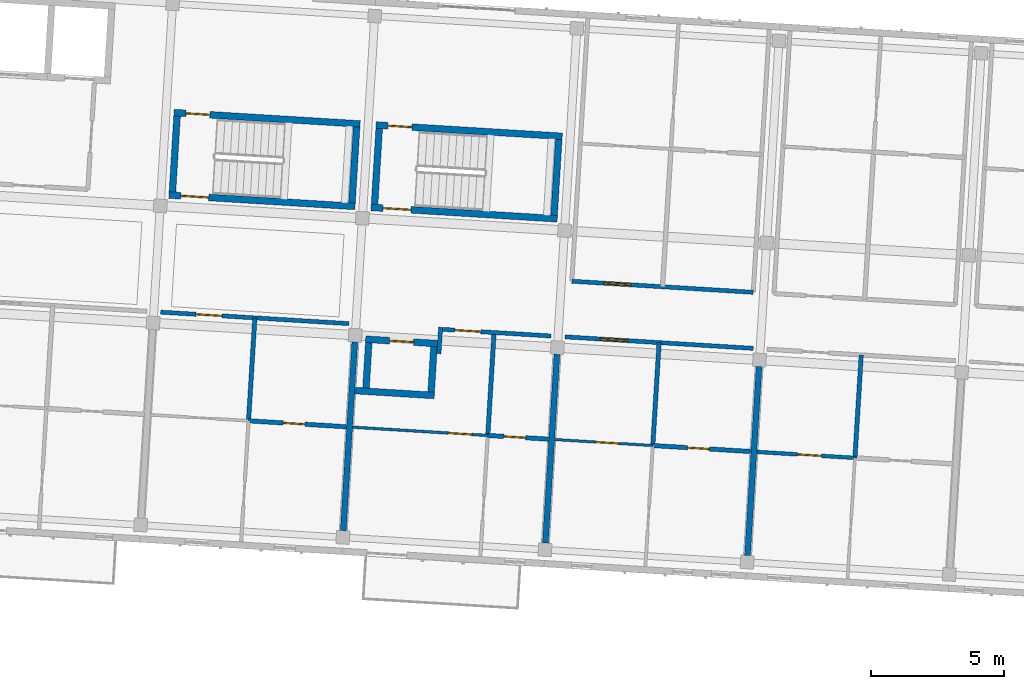
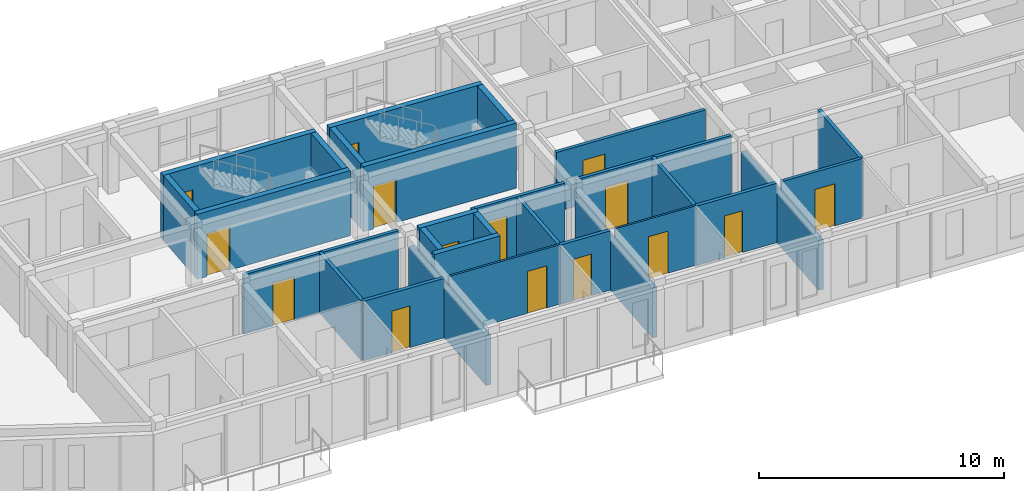
# One storey, part 75 of 127: 30 walls, 15 doors, 15 openings.
"""IFC4 building model written with IfcOpenShell, lengths in metres."""

from ifc_helpers import new_model, si_unit, direction, frame, frame_2d, origin, place, context, subcontext, project, spatial, rectangle, extrude, material, layer, layer_set, type_object, element, fill, save


model = new_model("IFC4")

# Units and contexts
model_context = context("Model", 3, precision=1e-05, world=origin(), true_north=direction((0.0, 1.0)))
body_context = subcontext(model_context, "Body", "Model", "MODEL_VIEW")
ifc_project = project(units=[si_unit("LENGTHUNIT", "METRE"), si_unit("AREAUNIT", "SQUARE_METRE"), si_unit("VOLUMEUNIT", "CUBIC_METRE"), si_unit("PLANEANGLEUNIT", "RADIAN"), si_unit("MASSUNIT", "GRAM", prefix="KILO")], contexts=[model_context])

# Site, building, storey
site_placement = place(None, origin())
site = spatial("IfcSite", under=ifc_project, at=site_placement, CompositionType="ELEMENT")
building_placement = place(site_placement, origin())
building = spatial("IfcBuilding", under=site, at=building_placement, Name="Kestramere Prow Commons", CompositionType="ELEMENT")
storey_placement = place(building_placement, frame((0.0, 0.0, 8.39990234375)))
storey = spatial("IfcBuildingStorey", under=building, at=storey_placement, Name="L02", CompositionType="ELEMENT", Elevation=8.39990234375)

# Wall, opening, door
ifc_material_1 = material(Name="Concrete C40/50", Category="concrete")
ifc_layer_1 = layer(ifc_material_1, 0.25)
ifc_layer_set_1 = layer_set([ifc_layer_1], Name="Concrete C40/50")
wall_type_1 = type_object("IfcWallType", Name="W-CORE-250", PredefinedType="SHEAR", material=ifc_layer_set_1)
wall_1_placement = place(storey_placement, frame((68.3330078125, 61.513671875, 0.0), z_axis=(0.0, 0.0, 1.0), x_axis=(0.998135676081, -0.061034188237, 0.0)))
wall_1 = element("IfcWall", 1, at=wall_1_placement, inside=storey, type_object=wall_type_1, Name="ST-C1 L02 North Shaft Wall", PredefinedType="SHEAR", context=body_context, shape_type="SweptSolid", body=[
    extrude(rectangle(XDim=7.0, YDim=0.25, at=frame_2d((3.5, 0.0))), origin(), (0.0, 0.0, 1.0), 3.25),
])
opening_1_placement = place(wall_1_placement, frame((0.449951171875, 0.0, 0.0)))
opening_1 = element("IfcOpeningElement", 2, at=opening_1_placement, cuts=wall_1, Name="Opening ID-08", PredefinedType="OPENING", context=body_context, shape_type="SweptSolid", body=[
    extrude(rectangle(XDim=0.89990234375, YDim=2.10009765625, at=frame_2d((0.449951171875, 1.050048828125))), frame((0.0, 0.139892578125, 0.0), z_axis=(0.0, -1.0, 0.0), x_axis=(1.0, 0.0, 0.0)), (0.0, 0.0, 1.0), 0.280029296875),
])
ifc_material_2 = material(Name="Engineered Timber Flush Door", Category="wood")
door_type_1 = type_object("IfcDoorType", Name="D-RM-01", OperationType="NOTDEFINED", PredefinedType="DOOR", material=ifc_material_2)
door_1_placement = place(opening_1_placement, origin())
door_1 = element("IfcDoor", 3, at=door_1_placement, inside=storey, type_object=door_type_1, Name="ST-C1 L02 North Room Door", OperationType="SINGLE_SWING_RIGHT", OverallHeight=2.10009765625, OverallWidth=0.89990234375, PredefinedType="DOOR", context=body_context, shape_type="SweptSolid", body=[
    extrude(rectangle(XDim=0.89990234375, YDim=2.10009765625, at=frame_2d((0.449951171875, 1.050048828125))), frame((0.0, 0.02490234375, 0.0), z_axis=(0.0, -1.0, 0.0), x_axis=(1.0, 0.0, 0.0)), (0.0, 0.0, 1.0), 0.050048828125),
])
fill(opening_1, door_1)

wall_2_placement = place(storey_placement, frame((68.143798828125, 58.41943359375, 0.0), z_axis=(0.0, 0.0, 1.0), x_axis=(0.998135546153, -0.061036313012, 0.0)))
wall_2 = element("IfcWall", 4, at=wall_2_placement, inside=storey, type_object=wall_type_1, Name="ST-C1 L02 Corridor Shaft Wall", PredefinedType="SHEAR", context=body_context, shape_type="SweptSolid", body=[
    extrude(rectangle(XDim=6.999755859375, YDim=0.25, at=frame_2d((3.5, 0.0))), origin(), (0.0, 0.0, 1.0), 3.25),
])
opening_2_placement = place(wall_2_placement, frame((0.449951171875, 0.0, 0.0)))
opening_2 = element("IfcOpeningElement", 5, at=opening_2_placement, cuts=wall_2, Name="Opening ID-01", PredefinedType="OPENING", context=body_context, shape_type="SweptSolid", body=[
    extrude(rectangle(XDim=1.050048828125, YDim=2.14990234375, at=frame_2d((0.52490234375, 1.074951171875))), frame((0.0, 0.139892578125, 0.0), z_axis=(0.0, -1.0, 0.0), x_axis=(1.0, 0.0, 0.0)), (0.0, 0.0, 1.0), 0.280029296875),
])
ifc_material_3 = material(Name="Fire-Rated Timber and Steel Frame", Category="steel")
door_type_2 = type_object("IfcDoorType", Name="FD-ST-01", OperationType="NOTDEFINED", PredefinedType="DOOR", material=ifc_material_3)
door_2_placement = place(opening_2_placement, origin())
door_2 = element("IfcDoor", 6, at=door_2_placement, inside=storey, type_object=door_type_2, Name="ST-C1 L02 Protected Stair Door", OperationType="SINGLE_SWING_LEFT", OverallHeight=2.14990234375, OverallWidth=1.050048828125, PredefinedType="DOOR", context=body_context, shape_type="SweptSolid", body=[
    extrude(rectangle(XDim=1.050048828125, YDim=2.14990234375, at=frame_2d((0.52490234375, 1.074951171875))), frame((0.0, 0.02490234375, 0.0), z_axis=(0.0, -1.0, 0.0), x_axis=(1.0, 0.0, 0.0)), (0.0, 0.0, 1.0), 0.050048828125),
])
fill(opening_2, door_2)

# Walls
for number, where, z_axis, x_axis, name in (
    (7, (68.276123046875, 58.53662109375, 0.0), (0.0, 0.0, 1.0), (0.06107697143, 0.998133059046, 0.0), "ST-C1 L02 Near Shaft Wall"),
    (8, (75.013671875, 58.12451171875, 0.0), (0.0, 0.0, 1.0), (0.060991628362, 0.99813827763, 0.0), "ST-C1 L02 Far Shaft Wall"),
):
    element("IfcWall", number, at=place(storey_placement, frame(where, z_axis=z_axis, x_axis=x_axis)), inside=storey, type_object=wall_type_1, Name=name, PredefinedType="SHEAR", context=body_context, shape_type="SweptSolid", body=[
        extrude(rectangle(XDim=2.85009765625, YDim=0.25, at=frame_2d((1.425048828125, 0.0))), origin(), (0.0, 0.0, 1.0), 3.25),
    ])

# Wall, opening, door
wall_3_placement = place(storey_placement, frame((75.9189453125, 61.0498046875, 0.0), z_axis=(0.0, 0.0, 1.0), x_axis=(0.998135546153, -0.061036313012, 0.0)))
wall_3 = element("IfcWall", 9, at=wall_3_placement, inside=storey, type_object=wall_type_1, Name="ST-C2 L02 North Shaft Wall", PredefinedType="SHEAR", context=body_context, shape_type="SweptSolid", body=[
    extrude(rectangle(XDim=6.999755859375, YDim=0.25, at=frame_2d((3.5, 0.0))), origin(), (0.0, 0.0, 1.0), 3.25),
])
opening_3_placement = place(wall_3_placement, frame((0.449951171875, 0.0, 0.0)))
opening_3 = element("IfcOpeningElement", 10, at=opening_3_placement, cuts=wall_3, Name="Opening ID-08", PredefinedType="OPENING", context=body_context, shape_type="SweptSolid", body=[
    extrude(rectangle(XDim=0.89990234375, YDim=2.10009765625, at=frame_2d((0.449951171875, 1.050048828125))), frame((0.0, 0.139892578125, 0.0), z_axis=(0.0, -1.0, 0.0), x_axis=(1.0, 0.0, 0.0)), (0.0, 0.0, 1.0), 0.280029296875),
])
door_3_placement = place(opening_3_placement, origin())
door_3 = element("IfcDoor", 11, at=door_3_placement, inside=storey, type_object=door_type_1, Name="ST-C2 L02 North Room Door", OperationType="SINGLE_SWING_RIGHT", OverallHeight=2.10009765625, OverallWidth=0.89990234375, PredefinedType="DOOR", context=body_context, shape_type="SweptSolid", body=[
    extrude(rectangle(XDim=0.89990234375, YDim=2.10009765625, at=frame_2d((0.449951171875, 1.050048828125))), frame((0.0, 0.02490234375, 0.0), z_axis=(0.0, -1.0, 0.0), x_axis=(1.0, 0.0, 0.0)), (0.0, 0.0, 1.0), 0.050048828125),
])
fill(opening_3, door_3)

wall_4_placement = place(storey_placement, frame((75.729736328125, 57.95556640625, 0.0), z_axis=(0.0, 0.0, 1.0), x_axis=(0.998135546153, -0.061036313012, 0.0)))
wall_4 = element("IfcWall", 12, at=wall_4_placement, inside=storey, type_object=wall_type_1, Name="ST-C2 L02 Corridor Shaft Wall", PredefinedType="SHEAR", context=body_context, shape_type="SweptSolid", body=[
    extrude(rectangle(XDim=6.999755859375, YDim=0.25, at=frame_2d((3.5, 0.0))), origin(), (0.0, 0.0, 1.0), 3.25),
])
opening_4_placement = place(wall_4_placement, frame((0.449951171875, 0.0, 0.0)))
opening_4 = element("IfcOpeningElement", 13, at=opening_4_placement, cuts=wall_4, Name="Opening ID-01", PredefinedType="OPENING", context=body_context, shape_type="SweptSolid", body=[
    extrude(rectangle(XDim=1.050048828125, YDim=2.14990234375, at=frame_2d((0.52490234375, 1.074951171875))), frame((0.0, 0.139892578125, 0.0), z_axis=(0.0, -1.0, 0.0), x_axis=(1.0, 0.0, 0.0)), (0.0, 0.0, 1.0), 0.280029296875),
])
door_4_placement = place(opening_4_placement, origin())
door_4 = element("IfcDoor", 14, at=door_4_placement, inside=storey, type_object=door_type_2, Name="ST-C2 L02 Protected Stair Door", OperationType="SINGLE_SWING_LEFT", OverallHeight=2.14990234375, OverallWidth=1.050048828125, PredefinedType="DOOR", context=body_context, shape_type="SweptSolid", body=[
    extrude(rectangle(XDim=1.050048828125, YDim=2.14990234375, at=frame_2d((0.52490234375, 1.074951171875))), frame((0.0, 0.02490234375, 0.0), z_axis=(0.0, -1.0, 0.0), x_axis=(1.0, 0.0, 0.0)), (0.0, 0.0, 1.0), 0.050048828125),
])
fill(opening_4, door_4)

# Walls
for number, where, z_axis, x_axis, name in (
    (15, (75.862060546875, 58.07275390625, 0.0), (0.0, 0.0, 1.0), (0.060991628362, 0.99813827763, 0.0), "ST-C2 L02 Near Shaft Wall"),
    (16, (82.599365234375, 57.66064453125, 0.0), (0.0, 0.0, 1.0), (0.06107697143, 0.998133059046, 0.0), "ST-C2 L02 Far Shaft Wall"),
):
    element("IfcWall", number, at=place(storey_placement, frame(where, z_axis=z_axis, x_axis=x_axis)), inside=storey, type_object=wall_type_1, Name=name, PredefinedType="SHEAR", context=body_context, shape_type="SweptSolid", body=[
        extrude(rectangle(XDim=2.85009765625, YDim=0.25, at=frame_2d((1.425048828125, 0.0))), origin(), (0.0, 0.0, 1.0), 3.25),
    ])

# Wall, opening, door
ifc_material_4 = material(Name="Fire-Rated Calcium Silicate Wall")
ifc_layer_2 = layer(ifc_material_4, 0.155029296875)
ifc_layer_set_2 = layer_set([ifc_layer_2], Name="Fire-Rated Calcium Silicate Wall")
wall_type_2 = type_object("IfcWallType", Name="W-FIRE-150", PredefinedType="PARTITIONING", material=ifc_layer_set_2)
wall_5_placement = place(storey_placement, frame((67.8349609375, 54.025146484375, 0.0), z_axis=(0.0, 0.0, 1.0), x_axis=(0.998135666539, -0.061034344288, 0.0)))
wall_5 = element("IfcWall", 17, at=wall_5_placement, inside=storey, type_object=wall_type_2, Name="Interior Partition PW-C-L02-CS-1", PredefinedType="PARTITIONING", context=body_context, shape_type="SweptSolid", body=[
    extrude(rectangle(XDim=7.080078125, YDim=0.155029296875, at=frame_2d((3.5400390625, 0.0))), origin(), (0.0, 0.0, 1.0), 2.97021484375),
])
opening_5_placement = place(wall_5_placement, frame((1.330078125, 0.0, 0.0)))
opening_5 = element("IfcOpeningElement", 18, at=opening_5_placement, cuts=wall_5, Name="Opening ID-04", PredefinedType="OPENING", context=body_context, shape_type="SweptSolid", body=[
    extrude(rectangle(XDim=0.97998046875, YDim=2.14990234375, at=frame_2d((0.489990234375, 1.074951171875))), frame((0.0, 0.092529296875, 0.0), z_axis=(0.0, -1.0, 0.0), x_axis=(1.0, 0.0, 0.0)), (0.0, 0.0, 1.0), 0.18505859375),
])
ifc_material_5 = material(Name="Hardwood Fire-Rated Flat Entrance Door", Category="wood")
door_type_3 = type_object("IfcDoorType", Name="FD-ENT-01", OperationType="NOTDEFINED", PredefinedType="DOOR", material=ifc_material_5)
door_5_placement = place(opening_5_placement, origin())
door_5 = element("IfcDoor", 19, at=door_5_placement, inside=storey, type_object=door_type_3, Name="Interior Door DR-C-L02-ENT-S1", OperationType="SINGLE_SWING_RIGHT", OverallHeight=2.14990234375, OverallWidth=0.97998046875, PredefinedType="DOOR", context=body_context, shape_type="SweptSolid", body=[
    extrude(rectangle(XDim=0.97998046875, YDim=2.14990234375, at=frame_2d((0.489990234375, 1.074951171875))), frame((0.0, 0.02490234375, 0.0), z_axis=(0.0, -1.0, 0.0), x_axis=(1.0, 0.0, 0.0)), (0.0, 0.0, 1.0), 0.050048828125),
])
fill(opening_5, door_5)

# Wall
wall_6_placement = place(storey_placement, frame((78.279052734375, 52.464599609375, 0.0), z_axis=(0.0, 0.0, 1.0), x_axis=(0.061095097219, 0.998131949742, 0.0)))
element("IfcWall", 20, at=wall_6_placement, inside=storey, type_object=wall_type_2, Name="Interior Partition PW-C-L02-HS-CLOSER", PredefinedType="PARTITIONING", context=body_context, shape_type="SweptSolid", body=[
    extrude(rectangle(XDim=0.9951171875, YDim=0.155029296875, at=frame_2d((0.49755859375, 0.0))), origin(), (0.0, 0.0, 1.0), 2.97021484375),
])

# Wall, opening, door
wall_7_placement = place(storey_placement, frame((78.415283203125, 53.378173828125, 0.0), z_axis=(0.0, 0.0, 1.0), x_axis=(0.998131852862, -0.061096679962, 0.0)))
wall_7 = element("IfcWall", 21, at=wall_7_placement, inside=storey, type_object=wall_type_2, Name="Interior Partition PW-C-L02-CS-2", PredefinedType="PARTITIONING", context=body_context, shape_type="SweptSolid", body=[
    extrude(rectangle(XDim=4.079833984375, YDim=0.155029296875, at=frame_2d((2.0400390625, 0.0))), origin(), (0.0, 0.0, 1.0), 2.97021484375),
])
opening_6_placement = place(wall_7_placement, frame((0.45703125, 0.0, 0.0)))
opening_6 = element("IfcOpeningElement", 22, at=opening_6_placement, cuts=wall_7, Name="Opening ID-04", PredefinedType="OPENING", context=body_context, shape_type="SweptSolid", body=[
    extrude(rectangle(XDim=0.97998046875, YDim=2.14990234375, at=frame_2d((0.489990234375, 1.074951171875))), frame((0.0, 0.092529296875, 0.0), z_axis=(0.0, -1.0, 0.0), x_axis=(1.0, 0.0, 0.0)), (0.0, 0.0, 1.0), 0.18505859375),
])
door_6_placement = place(opening_6_placement, origin())
door_6 = element("IfcDoor", 23, at=door_6_placement, inside=storey, type_object=door_type_3, Name="Interior Door DR-C-L02-ENT-S2", OperationType="SINGLE_SWING_LEFT", OverallHeight=2.14990234375, OverallWidth=0.97998046875, PredefinedType="DOOR", context=body_context, shape_type="SweptSolid", body=[
    extrude(rectangle(XDim=0.97998046875, YDim=2.14990234375, at=frame_2d((0.489990234375, 1.074951171875))), frame((0.0, 0.02490234375, 0.0), z_axis=(0.0, -1.0, 0.0), x_axis=(1.0, 0.0, 0.0)), (0.0, 0.0, 1.0), 0.050048828125),
])
fill(opening_6, door_6)

wall_8_placement = place(storey_placement, frame((83.006591796875, 53.09716796875, 0.0), z_axis=(0.0, 0.0, 1.0), x_axis=(0.998135666539, -0.061034344288, 0.0)))
wall_8 = element("IfcWall", 24, at=wall_8_placement, inside=storey, type_object=wall_type_2, Name="Interior Partition PW-C-L02-CS-3", PredefinedType="PARTITIONING", context=body_context, shape_type="SweptSolid", body=[
    extrude(rectangle(XDim=7.080078125, YDim=0.155029296875, at=frame_2d((3.5400390625, 0.0))), origin(), (0.0, 0.0, 1.0), 2.97021484375),
])
opening_7_placement = place(wall_8_placement, frame((1.330078125, 0.0, 0.0)))
opening_7 = element("IfcOpeningElement", 25, at=opening_7_placement, cuts=wall_8, Name="Opening ID-05", PredefinedType="OPENING", context=body_context, shape_type="SweptSolid", body=[
    extrude(rectangle(XDim=1.02001953125, YDim=2.199951171875, at=frame_2d((0.510009765625, 1.10009765625))), frame((0.0, 0.092529296875, 0.0), z_axis=(0.0, -1.0, 0.0), x_axis=(1.0, 0.0, 0.0)), (0.0, 0.0, 1.0), 0.18505859375),
])
door_type_4 = type_object("IfcDoorType", Name="FD-ENT-02", OperationType="NOTDEFINED", PredefinedType="DOOR", material=ifc_material_5)
door_7_placement = place(opening_7_placement, origin())
door_7 = element("IfcDoor", 26, at=door_7_placement, inside=storey, type_object=door_type_4, Name="Interior Door DR-C-L02-ENT-S3", OperationType="SINGLE_SWING_RIGHT", OverallHeight=2.199951171875, OverallWidth=1.02001953125, PredefinedType="DOOR", context=body_context, shape_type="SweptSolid", body=[
    extrude(rectangle(XDim=1.02001953125, YDim=2.199951171875, at=frame_2d((0.510009765625, 1.10009765625))), frame((0.0, 0.02490234375, 0.0), z_axis=(0.0, -1.0, 0.0), x_axis=(1.0, 0.0, 0.0)), (0.0, 0.0, 1.0), 0.050048828125),
])
fill(opening_7, door_7)

wall_9_placement = place(storey_placement, frame((83.2646484375, 55.185302734375, 0.0), z_axis=(0.0, 0.0, 1.0), x_axis=(0.998135531673, -0.061036549799, 0.0)))
wall_9 = element("IfcWall", 27, at=wall_9_placement, inside=storey, type_object=wall_type_2, Name="Interior Partition PW-C-L02-CN-3", PredefinedType="PARTITIONING", context=body_context, shape_type="SweptSolid", body=[
    extrude(rectangle(XDim=6.81982421875, YDim=0.155029296875, at=frame_2d((3.409912109375, 0.0))), origin(), (0.0, 0.0, 1.0), 2.97021484375),
])
opening_8_placement = place(wall_9_placement, frame((1.205078125, 0.0, 0.0)))
opening_8 = element("IfcOpeningElement", 28, at=opening_8_placement, cuts=wall_9, Name="Opening ID-05", PredefinedType="OPENING", context=body_context, shape_type="SweptSolid", body=[
    extrude(rectangle(XDim=1.02001953125, YDim=2.199951171875, at=frame_2d((0.510009765625, 1.10009765625))), frame((0.0, 0.092529296875, 0.0), z_axis=(0.0, -1.0, 0.0), x_axis=(1.0, 0.0, 0.0)), (0.0, 0.0, 1.0), 0.18505859375),
])
door_8_placement = place(opening_8_placement, origin())
door_8 = element("IfcDoor", 29, at=door_8_placement, inside=storey, type_object=door_type_4, Name="Interior Door DR-C-L02-ENT-N3", OperationType="SINGLE_SWING_RIGHT", OverallHeight=2.199951171875, OverallWidth=1.02001953125, PredefinedType="DOOR", context=body_context, shape_type="SweptSolid", body=[
    extrude(rectangle(XDim=1.02001953125, YDim=2.199951171875, at=frame_2d((0.510009765625, 1.10009765625))), frame((0.0, 0.02490234375, 0.0), z_axis=(0.0, -1.0, 0.0), x_axis=(1.0, 0.0, 0.0)), (0.0, 0.0, 1.0), 0.050048828125),
])
fill(opening_8, door_8)

# Wall
ifc_layer_3 = layer(ifc_material_1, 0.25)
ifc_layer_set_3 = layer_set([ifc_layer_3], Name="Concrete C40/50")
wall_type_3 = type_object("IfcWallType", Name="W-HS-250", PredefinedType="SHEAR", material=ifc_layer_set_3)
wall_10_placement = place(storey_placement, frame((75.11865234375, 51.080078125, 0.0), z_axis=(0.0, 0.0, 1.0), x_axis=(0.998133370443, -0.061071882298, 0.0)))
element("IfcWall", 30, at=wall_10_placement, inside=storey, type_object=wall_type_3, Name="Block C L02 Household Shelter South Wall", PredefinedType="SHEAR", context=body_context, shape_type="SweptSolid", body=[
    extrude(rectangle(XDim=2.990234375, YDim=0.25, at=frame_2d((1.4951171875, 0.0))), origin(), (0.0, 0.0, 1.0), 3.25),
])

# Wall, opening, door
wall_11_placement = place(storey_placement, frame((75.52734375, 53.0087890625, 0.0), z_axis=(0.0, 0.0, 1.0), x_axis=(0.998129907752, -0.061128448781, 0.0)))
wall_11 = element("IfcWall", 31, at=wall_11_placement, inside=storey, type_object=wall_type_3, Name="Block C L02 Household Shelter North Wall", PredefinedType="SHEAR", context=body_context, shape_type="SweptSolid", body=[
    extrude(rectangle(XDim=2.699951171875, YDim=0.25, at=frame_2d((1.35009765625, 0.0))), origin(), (0.0, 0.0, 1.0), 3.25),
])
opening_9_placement = place(wall_11_placement, frame((0.89990234375, 0.0, 0.0)))
opening_9 = element("IfcOpeningElement", 32, at=opening_9_placement, cuts=wall_11, Name="Opening ID-06", PredefinedType="OPENING", context=body_context, shape_type="SweptSolid", body=[
    extrude(rectangle(XDim=0.89990234375, YDim=2.050048828125, at=frame_2d((0.449951171875, 1.02490234375))), frame((0.0, 0.139892578125, 0.0), z_axis=(0.0, -1.0, 0.0), x_axis=(1.0, 0.0, 0.0)), (0.0, 0.0, 1.0), 0.280029296875),
])
ifc_material_6 = material(Name="Galvanised Steel S275JR Household Shelter Door", Category="steel")
door_type_5 = type_object("IfcDoorType", Name="FD-HS-01", OperationType="NOTDEFINED", PredefinedType="DOOR", material=ifc_material_6)
door_9_placement = place(opening_9_placement, origin())
door_9 = element("IfcDoor", 33, at=door_9_placement, inside=storey, type_object=door_type_5, Name="Block C L02 Household Shelter Blast Door", OperationType="SINGLE_SWING_RIGHT", OverallHeight=2.050048828125, OverallWidth=0.89990234375, PredefinedType="DOOR", context=body_context, shape_type="SweptSolid", body=[
    extrude(rectangle(XDim=0.89990234375, YDim=2.050048828125, at=frame_2d((0.449951171875, 1.02490234375))), frame((0.0, 0.02490234375, 0.0), z_axis=(0.0, -1.0, 0.0), x_axis=(1.0, 0.0, 0.0)), (0.0, 0.0, 1.0), 0.050048828125),
])
fill(opening_9, door_9)

# Walls
wall_12_placement = place(storey_placement, frame((75.54052734375, 51.179443359375, 0.0), z_axis=(0.0, 0.0, 1.0), x_axis=(0.061037062968, 0.998135500293, 0.0)))
element("IfcWall", 34, at=wall_12_placement, inside=storey, type_object=wall_type_3, Name="Block C L02 Household Shelter W Wall", PredefinedType="SHEAR", context=body_context, shape_type="SweptSolid", body=[
    extrude(rectangle(XDim=1.699951171875, YDim=0.25, at=frame_2d((0.85009765625, 0.0))), origin(), (0.0, 0.0, 1.0), 3.25),
])
wall_13_placement = place(storey_placement, frame((77.986083984375, 51.02978515625, 0.0), z_axis=(0.0, 0.0, 1.0), x_axis=(0.061028314627, 0.998136035225, 0.0)))
element("IfcWall", 35, at=wall_13_placement, inside=storey, type_object=wall_type_3, Name="Block C L02 Household Shelter E Wall", PredefinedType="SHEAR", context=body_context, shape_type="SweptSolid", body=[
    extrude(rectangle(XDim=1.7001953125, YDim=0.25, at=frame_2d((0.85009765625, 0.0))), origin(), (0.0, 0.0, 1.0), 3.25),
])

# Wall, opening, door
ifc_material_7 = material(Name="Gypsum Acoustic Drywall")
ifc_layer_4 = layer(ifc_material_7, 0.10009765625)
ifc_layer_set_4 = layer_set([ifc_layer_4], Name="Gypsum Acoustic Drywall")
wall_type_4 = type_object("IfcWallType", Name="W-PART-100", PredefinedType="PARTITIONING", material=ifc_layer_set_4)
wall_14_placement = place(storey_placement, frame((75.039794921875, 49.707275390625, 0.0), z_axis=(0.0, 0.0, 1.0), x_axis=(0.998135637207, -0.061034823981, 0.0)))
wall_14 = element("IfcWall", 36, at=wall_14_placement, inside=storey, type_object=wall_type_4, Name="Interior Partition PW-C-L02-MIDS1-2", PredefinedType="PARTITIONING", context=body_context, shape_type="SweptSolid", body=[
    extrude(rectangle(XDim=5.080078125, YDim=0.10009765625, at=frame_2d((2.5400390625, 0.0))), origin(), (0.0, 0.0, 1.0), 2.97021484375),
])
opening_10_placement = place(wall_14_placement, frame((3.594970703125, 0.0, 0.0)))
opening_10 = element("IfcOpeningElement", 37, at=opening_10_placement, cuts=wall_14, Name="Opening ID-10", PredefinedType="OPENING", context=body_context, shape_type="SweptSolid", body=[
    extrude(rectangle(XDim=0.8798828125, YDim=2.10009765625, at=frame_2d((0.43994140625, 1.050048828125))), frame((0.0, 0.06494140625, 0.0), z_axis=(0.0, -1.0, 0.0), x_axis=(1.0, 0.0, 0.0)), (0.0, 0.0, 1.0), 0.130126953125),
])
ifc_material_8 = material(Name="Engineered Timber Bedroom Door", Category="wood")
door_type_6 = type_object("IfcDoorType", Name="D-RM-03", OperationType="NOTDEFINED", PredefinedType="DOOR", material=ifc_material_8)
door_10_placement = place(opening_10_placement, origin())
door_10 = element("IfcDoor", 38, at=door_10_placement, inside=storey, type_object=door_type_6, Name="Interior Door DR-C-L02-KL-S2", OperationType="SINGLE_SWING_RIGHT", OverallHeight=2.10009765625, OverallWidth=0.8798828125, PredefinedType="DOOR", context=body_context, shape_type="SweptSolid", body=[
    extrude(rectangle(XDim=0.8798828125, YDim=2.10009765625, at=frame_2d((0.43994140625, 1.050048828125))), frame((0.0, 0.02490234375, 0.0), z_axis=(0.0, -1.0, 0.0), x_axis=(1.0, 0.0, 0.0)), (0.0, 0.0, 1.0), 0.050048828125),
])
fill(opening_10, door_10)

ifc_material_9 = material(Name="Masonry Compartment Wall", Category="masonry")
ifc_layer_5 = layer(ifc_material_9, 0.139892578125)
ifc_layer_set_5 = layer_set([ifc_layer_5], Name="Masonry Compartment Wall")
wall_type_5 = type_object("IfcWallType", Name="W-PART-140", PredefinedType="PARTITIONING", material=ifc_layer_set_5)
wall_15_placement = place(storey_placement, frame((90.21142578125, 48.779296875, 0.0), z_axis=(0.0, 0.0, 1.0), x_axis=(0.998136719672, -0.061017119263, 0.0)))
wall_15 = element("IfcWall", 39, at=wall_15_placement, inside=storey, type_object=wall_type_5, Name="Interior Partition PW-C-L02-MIDS1-4", PredefinedType="PARTITIONING", context=body_context, shape_type="SweptSolid", body=[
    extrude(rectangle(XDim=3.68505859375, YDim=0.139892578125, at=frame_2d((1.842529296875, 0.0))), origin(), (0.0, 0.0, 1.0), 2.97021484375),
])
opening_11_placement = place(wall_15_placement, frame((1.52490234375, 0.0, 0.0)))
opening_11 = element("IfcOpeningElement", 40, at=opening_11_placement, cuts=wall_15, Name="Opening ID-08", PredefinedType="OPENING", context=body_context, shape_type="SweptSolid", body=[
    extrude(rectangle(XDim=0.89990234375, YDim=2.10009765625, at=frame_2d((0.449951171875, 1.050048828125))), frame((0.0, 0.0849609375, 0.0), z_axis=(0.0, -1.0, 0.0), x_axis=(1.0, 0.0, 0.0)), (0.0, 0.0, 1.0), 0.169921875),
])
door_11_placement = place(opening_11_placement, origin())
door_11 = element("IfcDoor", 41, at=door_11_placement, inside=storey, type_object=door_type_1, Name="Interior Door DR-C-L02-KL-S4", OperationType="SINGLE_SWING_RIGHT", OverallHeight=2.10009765625, OverallWidth=0.89990234375, PredefinedType="DOOR", context=body_context, shape_type="SweptSolid", body=[
    extrude(rectangle(XDim=0.89990234375, YDim=2.10009765625, at=frame_2d((0.449951171875, 1.050048828125))), frame((0.0, 0.02490234375, 0.0), z_axis=(0.0, -1.0, 0.0), x_axis=(1.0, 0.0, 0.0)), (0.0, 0.0, 1.0), 0.050048828125),
])
fill(opening_11, door_11)

ifc_layer_6 = layer(ifc_material_7, 0.094970703125)
ifc_layer_set_6 = layer_set([ifc_layer_6], Name="Gypsum Acoustic Drywall")
wall_type_6 = type_object("IfcWallType", Name="W-PART-95", PredefinedType="PARTITIONING", material=ifc_layer_set_6)
wall_16_placement = place(storey_placement, frame((82.62548828125, 49.243408203125, 0.0), z_axis=(0.0, 0.0, 1.0), x_axis=(0.998132682596, -0.061083123148, 0.0)))
wall_16 = element("IfcWall", 42, at=wall_16_placement, inside=storey, type_object=wall_type_6, Name="Interior Partition PW-C-L02-MIDS1-3", PredefinedType="PARTITIONING", context=body_context, shape_type="SweptSolid", body=[
    extrude(rectangle(XDim=3.68505859375, YDim=0.094970703125, at=frame_2d((1.842529296875, 0.0))), origin(), (0.0, 0.0, 1.0), 2.97021484375),
])
opening_12_placement = place(wall_16_placement, frame((1.52490234375, 0.0, 0.0)))
opening_12 = element("IfcOpeningElement", 43, at=opening_12_placement, cuts=wall_16, Name="Opening ID-08", PredefinedType="OPENING", context=body_context, shape_type="SweptSolid", body=[
    extrude(rectangle(XDim=0.89990234375, YDim=2.10009765625, at=frame_2d((0.449951171875, 1.050048828125))), frame((0.0, 0.0625, 0.0), z_axis=(0.0, -1.0, 0.0), x_axis=(1.0, 0.0, 0.0)), (0.0, 0.0, 1.0), 0.125),
])
door_12_placement = place(opening_12_placement, origin())
door_12 = element("IfcDoor", 44, at=door_12_placement, inside=storey, type_object=door_type_1, Name="Interior Door DR-C-L02-KL-S3", OperationType="SINGLE_SWING_RIGHT", OverallHeight=2.10009765625, OverallWidth=0.89990234375, PredefinedType="DOOR", context=body_context, shape_type="SweptSolid", body=[
    extrude(rectangle(XDim=0.89990234375, YDim=2.10009765625, at=frame_2d((0.449951171875, 1.050048828125))), frame((0.0, 0.02490234375, 0.0), z_axis=(0.0, -1.0, 0.0), x_axis=(1.0, 0.0, 0.0)), (0.0, 0.0, 1.0), 0.050048828125),
])
fill(opening_12, door_12)

ifc_material_10 = material(Name="Waterproof Sanitary Masonry Wall", Category="masonry")
ifc_layer_7 = layer(ifc_material_10, 0.1650390625)
ifc_layer_set_7 = layer_set([ifc_layer_7], Name="Waterproof Sanitary Masonry Wall")
wall_type_7 = type_object("IfcWallType", Name="W-PLUMB-150", PredefinedType="PLUMBINGWALL", material=ifc_layer_set_7)
wall_17_placement = place(storey_placement, frame((71.132080078125, 49.9462890625, 0.0), z_axis=(0.0, 0.0, 1.0), x_axis=(0.998136719672, -0.061017119263, 0.0)))
wall_17 = element("IfcWall", 45, at=wall_17_placement, inside=storey, type_object=wall_type_7, Name="Interior Partition PW-C-L02-MIDS2-1", PredefinedType="PLUMBINGWALL", context=body_context, shape_type="SweptSolid", body=[
    extrude(rectangle(XDim=3.68505859375, YDim=0.1650390625, at=frame_2d((1.842529296875, 0.0))), origin(), (0.0, 0.0, 1.0), 2.97021484375),
])
opening_13_placement = place(wall_17_placement, frame((1.300048828125, 0.0, 0.0)))
opening_13 = element("IfcOpeningElement", 46, at=opening_13_placement, cuts=wall_17, Name="Opening ID-11", PredefinedType="OPENING", context=body_context, shape_type="SweptSolid", body=[
    extrude(rectangle(XDim=0.820068359375, YDim=2.080078125, at=frame_2d((0.41015625, 1.0400390625))), frame((0.0, 0.097412109375, 0.0), z_axis=(0.0, -1.0, 0.0), x_axis=(1.0, 0.0, 0.0)), (0.0, 0.0, 1.0), 0.195068359375),
])
ifc_material_11 = material(Name="Moisture-Resistant Timber Bathroom Door", Category="wood")
door_type_7 = type_object("IfcDoorType", Name="D-BT-01", OperationType="NOTDEFINED", PredefinedType="DOOR", material=ifc_material_11)
door_13_placement = place(opening_13_placement, origin())
door_13 = element("IfcDoor", 47, at=door_13_placement, inside=storey, type_object=door_type_7, Name="Interior Door DR-C-L02-BTH-S1", OperationType="SINGLE_SWING_LEFT", OverallHeight=2.080078125, OverallWidth=0.820068359375, PredefinedType="DOOR", context=body_context, shape_type="SweptSolid", body=[
    extrude(rectangle(XDim=0.820068359375, YDim=2.080078125, at=frame_2d((0.41015625, 1.0400390625))), frame((0.0, 0.02490234375, 0.0), z_axis=(0.0, -1.0, 0.0), x_axis=(1.0, 0.0, 0.0)), (0.0, 0.0, 1.0), 0.050048828125),
])
fill(opening_13, door_13)

# Wall
wall_18_placement = place(storey_placement, frame((71.132080078125, 49.9462890625, 0.0), z_axis=(0.0, 0.0, 1.0), x_axis=(0.061066453301, 0.998133702608, 0.0)))
element("IfcWall", 48, at=wall_18_placement, inside=storey, type_object=wall_type_7, Name="Interior Partition PW-C-L02-KB-S1", PredefinedType="PLUMBINGWALL", context=body_context, shape_type="SweptSolid", body=[
    extrude(rectangle(XDim=3.8701171875, YDim=0.1650390625, at=frame_2d((1.93505859375, 0.0))), origin(), (0.0, 0.0, 1.0), 2.97021484375),
])

# Wall, opening, door
wall_19_placement = place(storey_placement, frame((80.1103515625, 49.397216796875, 0.0), z_axis=(0.0, 0.0, 1.0), x_axis=(0.99813222782, -0.061090553999, 0.0)))
wall_19 = element("IfcWall", 49, at=wall_19_placement, inside=storey, type_object=wall_type_7, Name="Interior Partition PW-C-L02-MIDS2-2", PredefinedType="PLUMBINGWALL", context=body_context, shape_type="SweptSolid", body=[
    extrude(rectangle(XDim=2.2900390625, YDim=0.1650390625, at=frame_2d((1.14501953125, 0.0))), origin(), (0.0, 0.0, 1.0), 2.97021484375),
])
opening_14_placement = place(wall_19_placement, frame((0.60302734375, 0.0, 0.0)))
opening_14 = element("IfcOpeningElement", 50, at=opening_14_placement, cuts=wall_19, Name="Opening ID-11", PredefinedType="OPENING", context=body_context, shape_type="SweptSolid", body=[
    extrude(rectangle(XDim=0.820068359375, YDim=2.080078125, at=frame_2d((0.41015625, 1.0400390625))), frame((0.0, 0.097412109375, 0.0), z_axis=(0.0, -1.0, 0.0), x_axis=(1.0, 0.0, 0.0)), (0.0, 0.0, 1.0), 0.195068359375),
])
door_14_placement = place(opening_14_placement, origin())
door_14 = element("IfcDoor", 51, at=door_14_placement, inside=storey, type_object=door_type_7, Name="Interior Door DR-C-L02-BTH-S2", OperationType="SINGLE_SWING_LEFT", OverallHeight=2.080078125, OverallWidth=0.820068359375, PredefinedType="DOOR", context=body_context, shape_type="SweptSolid", body=[
    extrude(rectangle(XDim=0.820068359375, YDim=2.080078125, at=frame_2d((0.41015625, 1.0400390625))), frame((0.0, 0.02490234375, 0.0), z_axis=(0.0, -1.0, 0.0), x_axis=(1.0, 0.0, 0.0)), (0.0, 0.0, 1.0), 0.050048828125),
])
fill(opening_14, door_14)

# Wall
wall_20_placement = place(storey_placement, frame((80.1103515625, 49.397216796875, 0.0), z_axis=(0.0, 0.0, 1.0), x_axis=(0.061066453301, 0.998133702608, 0.0)))
element("IfcWall", 52, at=wall_20_placement, inside=storey, type_object=wall_type_7, Name="Interior Partition PW-C-L02-KB-S2", PredefinedType="PLUMBINGWALL", context=body_context, shape_type="SweptSolid", body=[
    extrude(rectangle(XDim=3.8701171875, YDim=0.1650390625, at=frame_2d((1.93505859375, 0.0))), origin(), (0.0, 0.0, 1.0), 2.97021484375),
])

# Wall, opening, door
wall_21_placement = place(storey_placement, frame((86.3037109375, 49.018310546875, 0.0), z_axis=(0.0, 0.0, 1.0), x_axis=(0.998136719672, -0.061017119263, 0.0)))
wall_21 = element("IfcWall", 53, at=wall_21_placement, inside=storey, type_object=wall_type_7, Name="Interior Partition PW-C-L02-MIDS2-3", PredefinedType="PLUMBINGWALL", context=body_context, shape_type="SweptSolid", body=[
    extrude(rectangle(XDim=3.68505859375, YDim=0.1650390625, at=frame_2d((1.842529296875, 0.0))), origin(), (0.0, 0.0, 1.0), 2.97021484375),
])
opening_15_placement = place(wall_21_placement, frame((1.300048828125, 0.0, 0.0)))
opening_15 = element("IfcOpeningElement", 54, at=opening_15_placement, cuts=wall_21, Name="Opening ID-11", PredefinedType="OPENING", context=body_context, shape_type="SweptSolid", body=[
    extrude(rectangle(XDim=0.820068359375, YDim=2.080078125, at=frame_2d((0.41015625, 1.0400390625))), frame((0.0, 0.097412109375, 0.0), z_axis=(0.0, -1.0, 0.0), x_axis=(1.0, 0.0, 0.0)), (0.0, 0.0, 1.0), 0.195068359375),
])
door_15_placement = place(opening_15_placement, origin())
door_15 = element("IfcDoor", 55, at=door_15_placement, inside=storey, type_object=door_type_7, Name="Interior Door DR-C-L02-BTH-S3", OperationType="SINGLE_SWING_LEFT", OverallHeight=2.080078125, OverallWidth=0.820068359375, PredefinedType="DOOR", context=body_context, shape_type="SweptSolid", body=[
    extrude(rectangle(XDim=0.820068359375, YDim=2.080078125, at=frame_2d((0.41015625, 1.0400390625))), frame((0.0, 0.02490234375, 0.0), z_axis=(0.0, -1.0, 0.0), x_axis=(1.0, 0.0, 0.0)), (0.0, 0.0, 1.0), 0.050048828125),
])
fill(opening_15, door_15)

# Walls
for number, where, z_axis, x_axis, name in (
    (56, (86.3037109375, 49.018310546875, 0.0), (0.0, 0.0, 1.0), (0.061066453301, 0.998133702608, 0.0), "Interior Partition PW-C-L02-KB-S3"),
    (57, (93.8896484375, 48.554443359375, 0.0), (0.0, 0.0, 1.0), (0.06100360301, 0.998137545842, 0.0), "Interior Partition PW-C-L02-KB-S4"),
):
    element("IfcWall", number, at=place(storey_placement, frame(where, z_axis=z_axis, x_axis=x_axis)), inside=storey, type_object=wall_type_7, Name=name, PredefinedType="PLUMBINGWALL", context=body_context, shape_type="SweptSolid", body=[
        extrude(rectangle(XDim=3.8701171875, YDim=0.1650390625, at=frame_2d((1.93505859375, 0.0))), origin(), (0.0, 0.0, 1.0), 2.97021484375),
    ])
ifc_material_12 = material(Name="Precast concrete C40/50", Category="concrete")
ifc_layer_8 = layer(ifc_material_12, 0.219970703125)
ifc_layer_set_8 = layer_set([ifc_layer_8], Name="Precast concrete C40/50")
wall_type_8 = type_object("IfcWallType", Name="W-XWALL-220", PredefinedType="SHEAR", material=ifc_layer_set_8)
wall_22_placement = place(storey_placement, frame((74.68701171875, 45.821533203125, 0.0), z_axis=(0.0, 0.0, 1.0), x_axis=(0.061033859059, 0.99813569621, 0.0)))
element("IfcWall", 58, at=wall_22_placement, inside=storey, type_object=wall_type_8, Name="Block C L02 Precast Cross-Wall 2", PredefinedType="SHEAR", context=body_context, shape_type="SweptSolid", body=[
    extrude(rectangle(XDim=7.10009765625, YDim=0.219970703125, at=frame_2d((3.550048828125, 0.0))), origin(), (0.0, 0.0, 1.0), 2.5),
])
wall_23_placement = place(storey_placement, frame((82.272705078125, 45.357666015625, 0.0), z_axis=(0.0, 0.0, 1.0), x_axis=(0.061070212127, 0.998133472633, 0.0)))
element("IfcWall", 59, at=wall_23_placement, inside=storey, type_object=wall_type_8, Name="Block C L02 Precast Cross-Wall 3", PredefinedType="SHEAR", context=body_context, shape_type="SweptSolid", body=[
    extrude(rectangle(XDim=7.099853515625, YDim=0.219970703125, at=frame_2d((3.5498046875, 0.0))), origin(), (0.0, 0.0, 1.0), 2.5),
])
wall_24_placement = place(storey_placement, frame((89.858642578125, 44.8935546875, 0.0), z_axis=(0.0, 0.0, 1.0), x_axis=(0.061033859059, 0.99813569621, 0.0)))
element("IfcWall", 60, at=wall_24_placement, inside=storey, type_object=wall_type_8, Name="Block C L02 Precast Cross-Wall 4", PredefinedType="SHEAR", context=body_context, shape_type="SweptSolid", body=[
    extrude(rectangle(XDim=7.10009765625, YDim=0.219970703125, at=frame_2d((3.550048828125, 0.0))), origin(), (0.0, 0.0, 1.0), 2.5),
])

save(model, "model.ifc")
